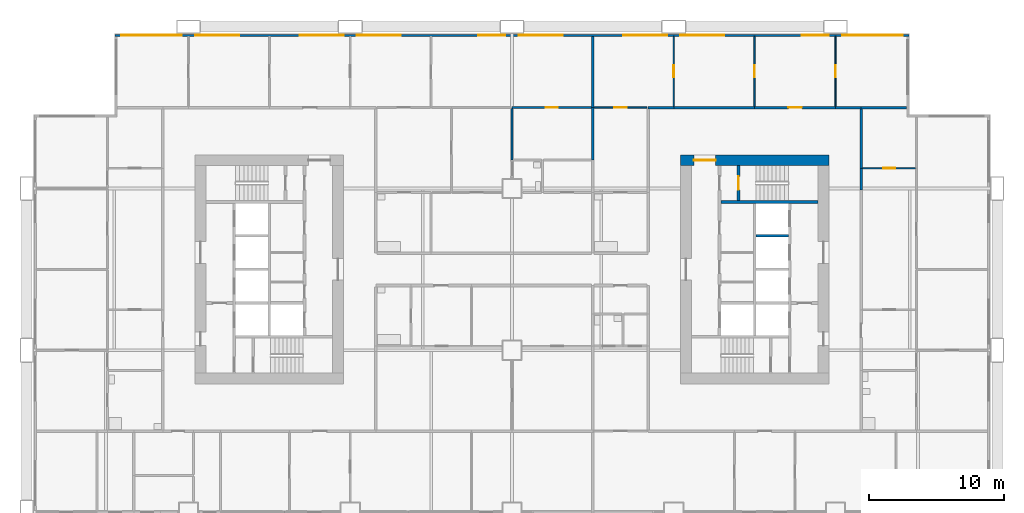
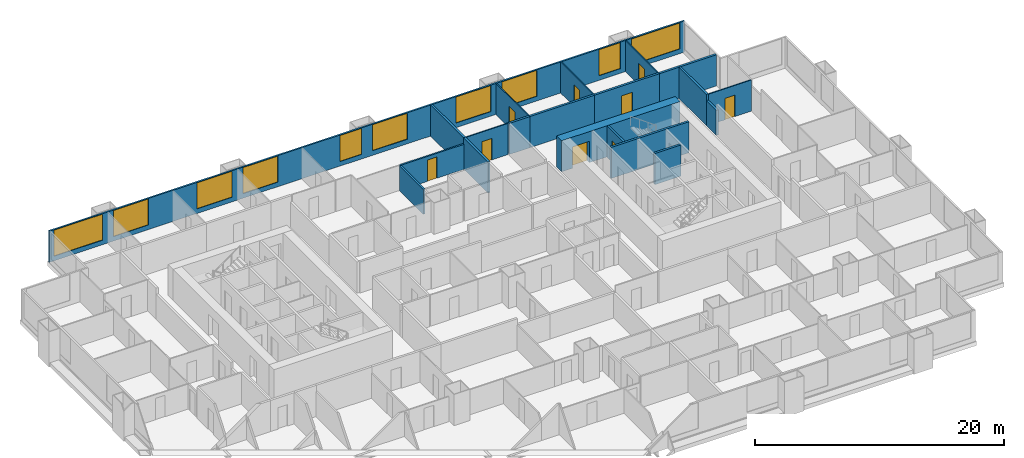
# One storey, part 9 of 13: 21 walls, 10 windows, 9 doors, 19 openings.
"""IFC4 building model written with IfcOpenShell, lengths in metres."""

from ifc_helpers import new_model, si_unit, direction, frame, frame_2d, origin, place, context, subcontext, project, spatial, rectangle, extrude, material, layer, layer_set, type_object, element, fill, save


model = new_model("IFC4")

# Units and contexts
model_context = context("Model", 3, precision=1e-05, world=origin(), true_north=direction((0.0, 1.0)))
body_context = subcontext(model_context, "Body", "Model", "MODEL_VIEW")
ifc_project = project(units=[si_unit("LENGTHUNIT", "METRE"), si_unit("AREAUNIT", "SQUARE_METRE"), si_unit("VOLUMEUNIT", "CUBIC_METRE"), si_unit("PLANEANGLEUNIT", "RADIAN"), si_unit("MASSUNIT", "GRAM", prefix="KILO")], contexts=[model_context])

# Site, building, storey
site_placement = place(None, origin())
site = spatial("IfcSite", under=ifc_project, at=site_placement, CompositionType="ELEMENT")
building_placement = place(site_placement, origin())
building = spatial("IfcBuilding", under=site, at=building_placement, Name="Kitamizu Gate Tower and Museum", CompositionType="ELEMENT")
storey_placement = place(building_placement, frame((0.0, 0.0, 57.60009765625)))
storey = spatial("IfcBuildingStorey", under=building, at=storey_placement, Name="L13", CompositionType="ELEMENT", Elevation=57.60009765625)

# Wall, opening, door
ifc_material_1 = material(Name="Concrete Fc60", Category="concrete")
ifc_layer_1 = layer(ifc_material_1, 0.800048828125)
ifc_layer_set_1 = layer_set([ifc_layer_1], Name="Concrete Fc60")
wall_type_1 = type_object("IfcWallType", Name="Core wall 800", PredefinedType="SHEAR", material=ifc_layer_set_1)
wall_1_placement = place(storey_placement, frame((59.5, 38.10009765625, 0.0), z_axis=(0.0, 0.0, 1.0), x_axis=(-1.0, 0.0, 0.0)))
wall_1 = element("IfcWall", 1, at=wall_1_placement, inside=storey, type_object=wall_type_1, Name="Core wall EN", PredefinedType="SHEAR", context=body_context, shape_type="SweptSolid", body=[
    extrude(rectangle(XDim=11.0, YDim=0.800048828125, at=frame_2d((5.5, 0.0))), origin(), (0.0, 0.0, 1.0), 3.0498046875),
])
opening_1_placement = place(wall_1_placement, frame((8.39990234375, 0.0, 0.0)))
opening_1 = element("IfcOpeningElement", 2, at=opening_1_placement, cuts=wall_1, Name="Opening L13-095", PredefinedType="OPENING", context=body_context, shape_type="SweptSolid", body=[
    extrude(rectangle(XDim=1.60009765625, YDim=2.10009765625, at=frame_2d((0.800048828125, 1.050048828125))), frame((0.0, 0.41015625, 0.0), z_axis=(0.0, -1.0, 0.0), x_axis=(1.0, 0.0, 0.0)), (0.0, 0.0, 1.0), 0.820068359375),
])
ifc_material_2 = material(Name="Timber door set", Category="wood")
door_type_1 = type_object("IfcDoorType", Name="Entrance door 1600", OperationType="DOUBLE_DOOR_SINGLE_SWING", PredefinedType="DOOR", material=ifc_material_2)
door_1_placement = place(opening_1_placement, origin())
door_1 = element("IfcDoor", 3, at=door_1_placement, inside=storey, type_object=door_type_1, Name="Lobby door L13-095", OperationType="DOUBLE_DOOR_SINGLE_SWING", OverallHeight=2.10009765625, OverallWidth=1.60009765625, PredefinedType="DOOR", context=body_context, shape_type="SweptSolid", body=[
    extrude(rectangle(XDim=1.60009765625, YDim=2.10009765625, at=frame_2d((0.800048828125, 1.050048828125))), frame((0.0, 0.02490234375, 0.0), z_axis=(0.0, -1.0, 0.0), x_axis=(1.0, 0.0, 0.0)), (0.0, 0.0, 1.0), 0.050048828125),
])
fill(opening_1, door_1)

ifc_material_3 = material(Name="Gypsum board on galvanised stud")
ifc_layer_2 = layer(ifc_material_3, 0.10009765625)
ifc_layer_set_2 = layer_set([ifc_layer_2], Name="Gypsum board on galvanised stud")
wall_type_2 = type_object("IfcWallType", Name="Partition 100 NOT RATED", PredefinedType="PARTITIONING", material=ifc_layer_set_2)
wall_2_placement = place(storey_placement, frame((48.0, 42.10009765625, 0.0), z_axis=(0.0, 0.0, 1.0), x_axis=(0.0, 1.0, 0.0)))
wall_2 = element("IfcWall", 4, at=wall_2_placement, inside=storey, type_object=wall_type_2, Name="Partition L13-175", PredefinedType="PARTITIONING", context=body_context, shape_type="SweptSolid", body=[
    extrude(rectangle(XDim=5.179931640625, YDim=0.10009765625, at=frame_2d((2.58984375, 0.0))), origin(), (0.0, 0.0, 1.0), 3.0498046875),
])
opening_2_placement = place(wall_2_placement, frame((2.139892578125, 0.0, 0.0)))
opening_2 = element("IfcOpeningElement", 5, at=opening_2_placement, cuts=wall_2, Name="Opening L13-066", PredefinedType="OPENING", context=body_context, shape_type="SweptSolid", body=[
    extrude(rectangle(XDim=0.89990234375, YDim=2.10009765625, at=frame_2d((0.449951171875, 1.050048828125))), frame((0.0, 0.06005859375, 0.0), z_axis=(0.0, -1.0, 0.0), x_axis=(1.0, 0.0, 0.0)), (0.0, 0.0, 1.0), 0.1201171875),
])
ifc_material_4 = material(Name="Timber door set", Category="wood")
door_type_2 = type_object("IfcDoorType", Name="Room door 900", OperationType="NOTDEFINED", PredefinedType="DOOR", material=ifc_material_4)
door_2_placement = place(opening_2_placement, origin())
door_2 = element("IfcDoor", 6, at=door_2_placement, inside=storey, type_object=door_type_2, Name="Door L13-066", OperationType="SINGLE_SWING_RIGHT", OverallHeight=2.10009765625, OverallWidth=0.89990234375, PredefinedType="DOOR", context=body_context, shape_type="SweptSolid", body=[
    extrude(rectangle(XDim=0.89990234375, YDim=2.10009765625, at=frame_2d((0.449951171875, 1.050048828125))), frame((0.0, 0.02490234375, 0.0), z_axis=(0.0, -1.0, 0.0), x_axis=(1.0, 0.0, 0.0)), (0.0, 0.0, 1.0), 0.050048828125),
])
fill(opening_2, door_2)

wall_3_placement = place(storey_placement, frame((42.10009765625, 42.0, 0.0), z_axis=(0.0, 0.0, 1.0), x_axis=(1.0, 0.0, 0.0)))
wall_3 = element("IfcWall", 7, at=wall_3_placement, inside=storey, type_object=wall_type_2, Name="Partition L13-176", PredefinedType="PARTITIONING", context=body_context, shape_type="SweptSolid", body=[
    extrude(rectangle(XDim=3.89990234375, YDim=0.10009765625, at=frame_2d((1.949951171875, 0.0))), origin(), (0.0, 0.0, 1.0), 3.0498046875),
])
opening_3_placement = place(wall_3_placement, frame((1.5, 0.0, 0.0)))
opening_3 = element("IfcOpeningElement", 8, at=opening_3_placement, cuts=wall_3, Name="Opening L13-067", PredefinedType="OPENING", context=body_context, shape_type="SweptSolid", body=[
    extrude(rectangle(XDim=0.89990234375, YDim=2.10009765625, at=frame_2d((0.449951171875, 1.050048828125))), frame((0.0, 0.06005859375, 0.0), z_axis=(0.0, -1.0, 0.0), x_axis=(1.0, 0.0, 0.0)), (0.0, 0.0, 1.0), 0.1201171875),
])
door_3_placement = place(opening_3_placement, frame((0.89990234375, 0.0, 0.0), x_axis=(-1.0, 0.0, 0.0)))
door_3 = element("IfcDoor", 9, at=door_3_placement, inside=storey, type_object=door_type_2, Name="Door L13-067", OperationType="SINGLE_SWING_RIGHT", OverallHeight=2.10009765625, OverallWidth=0.89990234375, PredefinedType="DOOR", context=body_context, shape_type="SweptSolid", body=[
    extrude(rectangle(XDim=0.89990234375, YDim=2.10009765625, at=frame_2d((0.449951171875, 1.050048828125))), frame((0.0, 0.02490234375, 0.0), z_axis=(0.0, -1.0, 0.0), x_axis=(1.0, 0.0, 0.0)), (0.0, 0.0, 1.0), 0.050048828125),
])
fill(opening_3, door_3)

wall_4_placement = place(storey_placement, frame((54.0, 42.10009765625, 0.0), z_axis=(0.0, 0.0, 1.0), x_axis=(0.0, 1.0, 0.0)))
wall_4 = element("IfcWall", 10, at=wall_4_placement, inside=storey, type_object=wall_type_2, Name="Partition L13-178", PredefinedType="PARTITIONING", context=body_context, shape_type="SweptSolid", body=[
    extrude(rectangle(XDim=5.179931640625, YDim=0.10009765625, at=frame_2d((2.58984375, 0.0))), origin(), (0.0, 0.0, 1.0), 3.0498046875),
])
opening_4_placement = place(wall_4_placement, frame((2.139892578125, 0.0, 0.0)))
opening_4 = element("IfcOpeningElement", 11, at=opening_4_placement, cuts=wall_4, Name="Opening L13-065", PredefinedType="OPENING", context=body_context, shape_type="SweptSolid", body=[
    extrude(rectangle(XDim=0.89990234375, YDim=2.10009765625, at=frame_2d((0.449951171875, 1.050048828125))), frame((0.0, 0.06005859375, 0.0), z_axis=(0.0, -1.0, 0.0), x_axis=(1.0, 0.0, 0.0)), (0.0, 0.0, 1.0), 0.1201171875),
])
door_4_placement = place(opening_4_placement, origin())
door_4 = element("IfcDoor", 12, at=door_4_placement, inside=storey, type_object=door_type_2, Name="Door L13-065", OperationType="SINGLE_SWING_LEFT", OverallHeight=2.10009765625, OverallWidth=0.89990234375, PredefinedType="DOOR", context=body_context, shape_type="SweptSolid", body=[
    extrude(rectangle(XDim=0.89990234375, YDim=2.10009765625, at=frame_2d((0.449951171875, 1.050048828125))), frame((0.0, 0.02490234375, 0.0), z_axis=(0.0, -1.0, 0.0), x_axis=(1.0, 0.0, 0.0)), (0.0, 0.0, 1.0), 0.050048828125),
])
fill(opening_4, door_4)

wall_5_placement = place(storey_placement, frame((60.0, 42.10009765625, 0.0), z_axis=(0.0, 0.0, 1.0), x_axis=(0.0, 1.0, 0.0)))
wall_5 = element("IfcWall", 13, at=wall_5_placement, inside=storey, type_object=wall_type_2, Name="Partition L13-180", PredefinedType="PARTITIONING", context=body_context, shape_type="SweptSolid", body=[
    extrude(rectangle(XDim=5.179931640625, YDim=0.10009765625, at=frame_2d((2.58984375, 0.0))), origin(), (0.0, 0.0, 1.0), 3.0498046875),
])
opening_5_placement = place(wall_5_placement, frame((2.139892578125, 0.0, 0.0)))
opening_5 = element("IfcOpeningElement", 14, at=opening_5_placement, cuts=wall_5, Name="Opening L13-064", PredefinedType="OPENING", context=body_context, shape_type="SweptSolid", body=[
    extrude(rectangle(XDim=0.89990234375, YDim=2.10009765625, at=frame_2d((0.449951171875, 1.050048828125))), frame((0.0, 0.06005859375, 0.0), z_axis=(0.0, -1.0, 0.0), x_axis=(1.0, 0.0, 0.0)), (0.0, 0.0, 1.0), 0.1201171875),
])
door_5_placement = place(opening_5_placement, frame((0.89990234375, 0.0, 0.0), x_axis=(-1.0, 0.0, 0.0)))
door_5 = element("IfcDoor", 15, at=door_5_placement, inside=storey, type_object=door_type_2, Name="Door L13-064", OperationType="SINGLE_SWING_LEFT", OverallHeight=2.10009765625, OverallWidth=0.89990234375, PredefinedType="DOOR", context=body_context, shape_type="SweptSolid", body=[
    extrude(rectangle(XDim=0.89990234375, YDim=2.10009765625, at=frame_2d((0.449951171875, 1.050048828125))), frame((0.0, 0.02490234375, 0.0), z_axis=(0.0, -1.0, 0.0), x_axis=(1.0, 0.0, 0.0)), (0.0, 0.0, 1.0), 0.050048828125),
])
fill(opening_5, door_5)

wall_6_placement = place(storey_placement, frame((65.949951171875, 37.5, 0.0), z_axis=(0.0, 0.0, 1.0), x_axis=(-1.0, 0.0, 0.0)))
wall_6 = element("IfcWall", 16, at=wall_6_placement, inside=storey, type_object=wall_type_2, Name="Partition L13-203", PredefinedType="PARTITIONING", context=body_context, shape_type="SweptSolid", body=[
    extrude(rectangle(XDim=3.949951171875, YDim=0.10009765625, at=frame_2d((1.97509765625, 0.0))), origin(), (0.0, 0.0, 1.0), 3.0498046875),
])
opening_6_placement = place(wall_6_placement, frame((1.52490234375, 0.0, 0.0)))
opening_6 = element("IfcOpeningElement", 17, at=opening_6_placement, cuts=wall_6, Name="Opening L13-075", PredefinedType="OPENING", context=body_context, shape_type="SweptSolid", body=[
    extrude(rectangle(XDim=0.89990234375, YDim=2.10009765625, at=frame_2d((0.449951171875, 1.050048828125))), frame((0.0, 0.06005859375, 0.0), z_axis=(0.0, -1.0, 0.0), x_axis=(1.0, 0.0, 0.0)), (0.0, 0.0, 1.0), 0.1201171875),
])
door_6_placement = place(opening_6_placement, frame((0.89990234375, 0.0, 0.0), x_axis=(-1.0, 0.0, 0.0)))
door_6 = element("IfcDoor", 18, at=door_6_placement, inside=storey, type_object=door_type_2, Name="Door L13-075", OperationType="SINGLE_SWING_RIGHT", OverallHeight=2.10009765625, OverallWidth=0.89990234375, PredefinedType="DOOR", context=body_context, shape_type="SweptSolid", body=[
    extrude(rectangle(XDim=0.89990234375, YDim=2.10009765625, at=frame_2d((0.449951171875, 1.050048828125))), frame((0.0, 0.02490234375, 0.0), z_axis=(0.0, -1.0, 0.0), x_axis=(1.0, 0.0, 0.0)), (0.0, 0.0, 1.0), 0.050048828125),
])
fill(opening_6, door_6)

ifc_material_5 = material(Name="Gypsum board on galvanised stud")
ifc_layer_3 = layer(ifc_material_5, 0.14990234375)
ifc_layer_set_3 = layer_set([ifc_layer_3], Name="Gypsum board on galvanised stud")
wall_type_3 = type_object("IfcWallType", Name="Partition 150", PredefinedType="PARTITIONING", material=ifc_layer_set_3)
wall_7_placement = place(storey_placement, frame((36.0, 42.0, 0.0), z_axis=(0.0, 0.0, 1.0), x_axis=(1.0, 0.0, 0.0)))
wall_7 = element("IfcWall", 19, at=wall_7_placement, inside=storey, type_object=wall_type_3, Name="Partition L13-131", PredefinedType="PARTITIONING", context=body_context, shape_type="SweptSolid", body=[
    extrude(rectangle(XDim=5.89990234375, YDim=0.14990234375, at=frame_2d((2.949951171875, 0.0))), origin(), (0.0, 0.0, 1.0), 2.449951171875),
])
opening_7_placement = place(wall_7_placement, frame((2.5, 0.0, 0.0)))
opening_7 = element("IfcOpeningElement", 20, at=opening_7_placement, cuts=wall_7, Name="Opening L13-051", PredefinedType="OPENING", context=body_context, shape_type="SweptSolid", body=[
    extrude(rectangle(XDim=0.89990234375, YDim=2.10009765625, at=frame_2d((0.449951171875, 1.050048828125))), frame((0.0, 0.0849609375, 0.0), z_axis=(0.0, -1.0, 0.0), x_axis=(1.0, 0.0, 0.0)), (0.0, 0.0, 1.0), 0.169921875),
])
ifc_material_6 = material(Name="Timber door set", Category="wood")
door_type_3 = type_object("IfcDoorType", Name="Bathroom door 900", OperationType="NOTDEFINED", PredefinedType="DOOR", material=ifc_material_6)
door_7_placement = place(opening_7_placement, frame((0.89990234375, 0.0, 0.0), x_axis=(-1.0, 0.0, 0.0)))
door_7 = element("IfcDoor", 21, at=door_7_placement, inside=storey, type_object=door_type_3, Name="Bathroom door L13-051", OperationType="SINGLE_SWING_LEFT", OverallHeight=2.10009765625, OverallWidth=0.89990234375, PredefinedType="DOOR", context=body_context, shape_type="SweptSolid", body=[
    extrude(rectangle(XDim=0.89990234375, YDim=2.10009765625, at=frame_2d((0.449951171875, 1.050048828125))), frame((0.0, 0.02490234375, 0.0), z_axis=(0.0, -1.0, 0.0), x_axis=(1.0, 0.0, 0.0)), (0.0, 0.0, 1.0), 0.050048828125),
])
fill(opening_7, door_7)

# Walls
wall_8_placement = place(storey_placement, frame((36.0, 38.10009765625, 0.0), z_axis=(0.0, 0.0, 1.0), x_axis=(0.0, 1.0, 0.0)))
element("IfcWall", 22, at=wall_8_placement, inside=storey, type_object=wall_type_3, Name="Partition L13-139", PredefinedType="PARTITIONING", context=body_context, shape_type="SweptSolid", body=[
    extrude(rectangle(XDim=3.824951171875, YDim=0.14990234375, at=frame_2d((1.91259765625, 0.0))), origin(), (0.0, 0.0, 1.0), 2.449951171875),
])
ifc_material_7 = material(Name="Gypsum board on galvanised stud")
ifc_layer_4 = layer(ifc_material_7, 0.199951171875)
ifc_layer_set_4 = layer_set([ifc_layer_4], Name="Gypsum board on galvanised stud")
wall_type_4 = type_object("IfcWallType", Name="Partition 200", PredefinedType="PARTITIONING", material=ifc_layer_set_4)
wall_9_placement = place(storey_placement, frame((42.0, 42.0, 0.0), z_axis=(0.0, 0.0, 1.0), x_axis=(0.0, 1.0, 0.0)))
element("IfcWall", 23, at=wall_9_placement, inside=storey, type_object=wall_type_4, Name="Partition L13-132", PredefinedType="PARTITIONING", context=body_context, shape_type="SweptSolid", body=[
    extrude(rectangle(XDim=5.280029296875, YDim=0.199951171875, at=frame_2d((2.64013671875, 0.0))), origin(), (0.0, 0.0, 1.0), 3.0498046875),
])
wall_10_placement = place(storey_placement, frame((42.0, 38.10009765625, 0.0), z_axis=(0.0, 0.0, 1.0), x_axis=(0.0, 1.0, 0.0)))
element("IfcWall", 24, at=wall_10_placement, inside=storey, type_object=wall_type_4, Name="Partition L13-149", PredefinedType="PARTITIONING", context=body_context, shape_type="SweptSolid", body=[
    extrude(rectangle(XDim=3.89990234375, YDim=0.199951171875, at=frame_2d((1.949951171875, 0.0))), origin(), (0.0, 0.0, 1.0), 3.0498046875),
])
wall_11_placement = place(storey_placement, frame((46.10009765625, 42.0, 0.0), z_axis=(0.0, 0.0, 1.0), x_axis=(1.0, 0.0, 0.0)))
element("IfcWall", 25, at=wall_11_placement, inside=storey, type_object=wall_type_4, Name="Partition L13-177", PredefinedType="PARTITIONING", context=body_context, shape_type="SweptSolid", body=[
    extrude(rectangle(XDim=1.89990234375, YDim=0.199951171875, at=frame_2d((0.949951171875, 0.0))), origin(), (0.0, 0.0, 1.0), 3.0498046875),
])
wall_12_placement = place(storey_placement, frame((48.0, 42.0, 0.0), z_axis=(0.0, 0.0, 1.0), x_axis=(1.0, 0.0, 0.0)))
element("IfcWall", 26, at=wall_12_placement, inside=storey, type_object=wall_type_4, Name="Partition L13-179", PredefinedType="PARTITIONING", context=body_context, shape_type="SweptSolid", body=[
    extrude(rectangle(XDim=6.0, YDim=0.199951171875, at=frame_2d((3.0, 0.0))), origin(), (0.0, 0.0, 1.0), 3.0498046875),
])

# Wall, opening, door
wall_13_placement = place(storey_placement, frame((54.0, 42.0, 0.0), z_axis=(0.0, 0.0, 1.0), x_axis=(1.0, 0.0, 0.0)))
wall_13 = element("IfcWall", 27, at=wall_13_placement, inside=storey, type_object=wall_type_4, Name="Partition L13-181", PredefinedType="PARTITIONING", context=body_context, shape_type="SweptSolid", body=[
    extrude(rectangle(XDim=6.0, YDim=0.199951171875, at=frame_2d((3.0, 0.0))), origin(), (0.0, 0.0, 1.0), 3.0498046875),
])
opening_8_placement = place(wall_13_placement, frame((2.5, 0.0, 0.0)))
opening_8 = element("IfcOpeningElement", 28, at=opening_8_placement, cuts=wall_13, Name="Opening L13-063", PredefinedType="OPENING", context=body_context, shape_type="SweptSolid", body=[
    extrude(rectangle(XDim=1.0, YDim=2.10009765625, at=frame_2d((0.5, 1.050048828125))), frame((0.0, 0.10986328125, 0.0), z_axis=(0.0, -1.0, 0.0), x_axis=(1.0, 0.0, 0.0)), (0.0, 0.0, 1.0), 0.219970703125),
])
ifc_material_8 = material(Name="Timber door set", Category="wood")
door_type_4 = type_object("IfcDoorType", Name="Flat entrance door 1000", OperationType="NOTDEFINED", PredefinedType="DOOR", material=ifc_material_8)
door_8_placement = place(opening_8_placement, origin())
door_8 = element("IfcDoor", 29, at=door_8_placement, inside=storey, type_object=door_type_4, Name="Flat entrance door L13-063", OperationType="SINGLE_SWING_LEFT", OverallHeight=2.10009765625, OverallWidth=1.0, PredefinedType="DOOR", context=body_context, shape_type="SweptSolid", body=[
    extrude(rectangle(XDim=1.0, YDim=2.10009765625, at=frame_2d((0.5, 1.050048828125))), frame((0.0, 0.02490234375, 0.0), z_axis=(0.0, -1.0, 0.0), x_axis=(1.0, 0.0, 0.0)), (0.0, 0.0, 1.0), 0.050048828125),
])
fill(opening_8, door_8)

# Walls
wall_14_placement = place(storey_placement, frame((61.89990234375, 42.0, 0.0), z_axis=(0.0, 0.0, 1.0), x_axis=(1.0, 0.0, 0.0)))
element("IfcWall", 30, at=wall_14_placement, inside=storey, type_object=wall_type_4, Name="Partition L13-182", PredefinedType="PARTITIONING", context=body_context, shape_type="SweptSolid", body=[
    extrude(rectangle(XDim=3.380126953125, YDim=0.199951171875, at=frame_2d((1.68994140625, 0.0))), origin(), (0.0, 0.0, 1.0), 3.0498046875),
])
wall_15_placement = place(storey_placement, frame((60.0, 42.0, 0.0), z_axis=(0.0, 0.0, 1.0), x_axis=(1.0, 0.0, 0.0)))
element("IfcWall", 31, at=wall_15_placement, inside=storey, type_object=wall_type_4, Name="Partition L13-183", PredefinedType="PARTITIONING", context=body_context, shape_type="SweptSolid", body=[
    extrude(rectangle(XDim=1.89990234375, YDim=0.199951171875, at=frame_2d((0.949951171875, 0.0))), origin(), (0.0, 0.0, 1.0), 3.0498046875),
])
wall_16_placement = place(storey_placement, frame((61.89990234375, 37.5, 0.0), z_axis=(0.0, 0.0, 1.0), x_axis=(0.0, -1.0, 0.0)))
element("IfcWall", 32, at=wall_16_placement, inside=storey, type_object=wall_type_4, Name="Partition L13-204", PredefinedType="PARTITIONING", context=body_context, shape_type="SweptSolid", body=[
    extrude(rectangle(XDim=1.60009765625, YDim=0.199951171875, at=frame_2d((0.800048828125, 0.0))), origin(), (0.0, 0.0, 1.0), 2.449951171875),
])
wall_17_placement = place(storey_placement, frame((61.89990234375, 41.89990234375, 0.0), z_axis=(0.0, 0.0, 1.0), x_axis=(0.0, -1.0, 0.0)))
element("IfcWall", 33, at=wall_17_placement, inside=storey, type_object=wall_type_4, Name="Partition L13-206", PredefinedType="PARTITIONING", context=body_context, shape_type="SweptSolid", body=[
    extrude(rectangle(XDim=4.39990234375, YDim=0.199951171875, at=frame_2d((2.199951171875, 0.0))), origin(), (0.0, 0.0, 1.0), 3.0498046875),
])
ifc_material_9 = material(Name="Concrete Fc42", Category="concrete")
ifc_layer_5 = layer(ifc_material_9, 0.199951171875)
ifc_layer_set_5 = layer_set([ifc_layer_5], Name="Concrete Fc42")
wall_type_5 = type_object("IfcWallType", Name="Shaft wall 200", PredefinedType="SOLIDWALL", material=ifc_layer_set_5)
wall_18_placement = place(storey_placement, frame((58.699951171875, 35.0, 0.0), z_axis=(0.0, 0.0, 1.0), x_axis=(-1.0, 0.0, 0.0)))
element("IfcWall", 34, at=wall_18_placement, inside=storey, type_object=wall_type_5, Name="Shaft wall ENB", PredefinedType="SOLIDWALL", context=body_context, shape_type="SweptSolid", body=[
    extrude(rectangle(XDim=7.199951171875, YDim=0.199951171875, at=frame_2d((3.60009765625, 0.0))), origin(), (0.0, 0.0, 1.0), 3.0498046875),
])

# Wall, opening, door
wall_19_placement = place(storey_placement, frame((52.800048828125, 35.10009765625, 0.0), z_axis=(0.0, 0.0, 1.0), x_axis=(0.0, 1.0, 0.0)))
wall_19 = element("IfcWall", 35, at=wall_19_placement, inside=storey, type_object=wall_type_5, Name="Shaft wall ENZ", PredefinedType="SOLIDWALL", context=body_context, shape_type="SweptSolid", body=[
    extrude(rectangle(XDim=2.599853515625, YDim=0.199951171875, at=frame_2d((1.2998046875, 0.0))), origin(), (0.0, 0.0, 1.0), 3.0498046875),
])
opening_9_placement = place(wall_19_placement, frame((0.800048828125, 0.0, 0.0)))
opening_9 = element("IfcOpeningElement", 36, at=opening_9_placement, cuts=wall_19, Name="Opening L13-091", PredefinedType="OPENING", context=body_context, shape_type="SweptSolid", body=[
    extrude(rectangle(XDim=1.0, YDim=2.10009765625, at=frame_2d((0.5, 1.050048828125))), frame((0.0, 0.10986328125, 0.0), z_axis=(0.0, -1.0, 0.0), x_axis=(1.0, 0.0, 0.0)), (0.0, 0.0, 1.0), 0.219970703125),
])
ifc_material_10 = material(Name="Hollow metal door set")
door_type_5 = type_object("IfcDoorType", Name="Fire door 1000", OperationType="NOTDEFINED", PredefinedType="DOOR", material=ifc_material_10)
door_9_placement = place(opening_9_placement, frame((1.0, 0.0, 0.0), x_axis=(-1.0, 0.0, 0.0)))
door_9 = element("IfcDoor", 37, at=door_9_placement, inside=storey, type_object=door_type_5, Name="Stair door L13-091", OperationType="SINGLE_SWING_LEFT", OverallHeight=2.10009765625, OverallWidth=1.0, PredefinedType="DOOR", context=body_context, shape_type="SweptSolid", body=[
    extrude(rectangle(XDim=1.0, YDim=2.10009765625, at=frame_2d((0.5, 1.050048828125))), frame((0.0, 0.02490234375, 0.0), z_axis=(0.0, -1.0, 0.0), x_axis=(1.0, 0.0, 0.0)), (0.0, 0.0, 1.0), 0.050048828125),
])
fill(opening_9, door_9)

# Wall
wall_20_placement = place(storey_placement, frame((56.5, 32.5, 0.0), z_axis=(0.0, 0.0, 1.0), x_axis=(-1.0, 0.0, 0.0)))
element("IfcWall", 38, at=wall_20_placement, inside=storey, type_object=wall_type_5, Name="Shaft wall EDVW2", PredefinedType="SOLIDWALL", context=body_context, shape_type="SweptSolid", body=[
    extrude(rectangle(XDim=2.39990234375, YDim=0.199951171875, at=frame_2d((1.199951171875, 0.0))), origin(), (0.0, 0.0, 1.0), 3.0498046875),
])

# Wall, openings, windows
ifc_material_11 = material(Name="Bronze anodised aluminium frame with insulated spandrel and tinted glass", Category="aluminium")
ifc_layer_6 = layer(ifc_material_11, 0.14990234375)
ifc_layer_set_6 = layer_set([ifc_layer_6], Name="Bronze anodised aluminium frame with insulated spandrel and tinted glass")
wall_type_6 = type_object("IfcWallType", Name="WINDOW WALL 150 BRONZE FRAME EI 30", PredefinedType="ELEMENTEDWALL", material=ifc_layer_set_6)
wall_21_placement = place(storey_placement, frame((6.56005859375, 47.364990234375, 0.0), z_axis=(0.0, 0.0, 1.0), x_axis=(1.0, 0.0, 0.0)))
wall_21 = element("IfcWall", 39, at=wall_21_placement, inside=storey, type_object=wall_type_6, Name="Window wall north L13", PredefinedType="ELEMENTEDWALL", context=body_context, shape_type="SweptSolid", body=[
    extrude(rectangle(XDim=58.8798828125, YDim=0.14990234375, at=frame_2d((29.43994140625, 0.0))), origin(), (0.0, 0.0, 1.0), 3.0498046875),
])
opening_10_placement = place(wall_21_placement, frame((0.43994140625, 0.0, 0.449951171875)))
opening_10 = element("IfcOpeningElement", 40, at=opening_10_placement, cuts=wall_21, Name="Opening W15", PredefinedType="OPENING", context=body_context, shape_type="SweptSolid", body=[
    extrude(rectangle(XDim=4.5, YDim=2.550048828125, at=frame_2d((2.25, 1.27490234375))), frame((0.0, 0.0849609375, 0.0), z_axis=(0.0, -1.0, 0.0), x_axis=(1.0, 0.0, 0.0)), (0.0, 0.0, 1.0), 0.169921875),
])
opening_11_placement = place(wall_21_placement, frame((5.93994140625, 0.0, 0.449951171875)))
opening_11 = element("IfcOpeningElement", 41, at=opening_11_placement, cuts=wall_21, Name="Opening W34", PredefinedType="OPENING", context=body_context, shape_type="SweptSolid", body=[
    extrude(rectangle(XDim=3.25, YDim=2.550048828125, at=frame_2d((1.625, 1.27490234375))), frame((0.0, 0.0849609375, 0.0), z_axis=(0.0, -1.0, 0.0), x_axis=(1.0, 0.0, 0.0)), (0.0, 0.0, 1.0), 0.169921875),
])
opening_12_placement = place(wall_21_placement, frame((13.68994140625, 0.0, 0.449951171875)))
opening_12 = element("IfcOpeningElement", 42, at=opening_12_placement, cuts=wall_21, Name="Opening W34", PredefinedType="OPENING", context=body_context, shape_type="SweptSolid", body=[
    extrude(rectangle(XDim=3.25, YDim=2.550048828125, at=frame_2d((1.625, 1.27490234375))), frame((0.0, 0.0849609375, 0.0), z_axis=(0.0, -1.0, 0.0), x_axis=(1.0, 0.0, 0.0)), (0.0, 0.0, 1.0), 0.169921875),
])
opening_13_placement = place(wall_21_placement, frame((17.93994140625, 0.0, 0.449951171875)))
opening_13 = element("IfcOpeningElement", 43, at=opening_13_placement, cuts=wall_21, Name="Opening W34", PredefinedType="OPENING", context=body_context, shape_type="SweptSolid", body=[
    extrude(rectangle(XDim=3.25, YDim=2.550048828125, at=frame_2d((1.625, 1.27490234375))), frame((0.0, 0.0849609375, 0.0), z_axis=(0.0, -1.0, 0.0), x_axis=(1.0, 0.0, 0.0)), (0.0, 0.0, 1.0), 0.169921875),
])
opening_14_placement = place(wall_21_placement, frame((26.93994140625, 0.0, 0.449951171875)))
opening_14 = element("IfcOpeningElement", 44, at=opening_14_placement, cuts=wall_21, Name="Opening W2", PredefinedType="OPENING", context=body_context, shape_type="SweptSolid", body=[
    extrude(rectangle(XDim=2.0, YDim=2.550048828125, at=frame_2d((1.0, 1.27490234375))), frame((0.0, 0.0849609375, 0.0), z_axis=(0.0, -1.0, 0.0), x_axis=(1.0, 0.0, 0.0)), (0.0, 0.0, 1.0), 0.169921875),
])
opening_15_placement = place(wall_21_placement, frame((29.93994140625, 0.0, 0.449951171875)))
opening_15 = element("IfcOpeningElement", 45, at=opening_15_placement, cuts=wall_21, Name="Opening W34", PredefinedType="OPENING", context=body_context, shape_type="SweptSolid", body=[
    extrude(rectangle(XDim=3.25, YDim=2.550048828125, at=frame_2d((1.625, 1.27490234375))), frame((0.0, 0.0849609375, 0.0), z_axis=(0.0, -1.0, 0.0), x_axis=(1.0, 0.0, 0.0)), (0.0, 0.0, 1.0), 0.169921875),
])
opening_16_placement = place(wall_21_placement, frame((37.68994140625, 0.0, 0.449951171875)))
opening_16 = element("IfcOpeningElement", 46, at=opening_16_placement, cuts=wall_21, Name="Opening W34", PredefinedType="OPENING", context=body_context, shape_type="SweptSolid", body=[
    extrude(rectangle(XDim=3.25, YDim=2.550048828125, at=frame_2d((1.625, 1.27490234375))), frame((0.0, 0.0849609375, 0.0), z_axis=(0.0, -1.0, 0.0), x_axis=(1.0, 0.0, 0.0)), (0.0, 0.0, 1.0), 0.169921875),
])
opening_17_placement = place(wall_21_placement, frame((41.93994140625, 0.0, 0.449951171875)))
opening_17 = element("IfcOpeningElement", 47, at=opening_17_placement, cuts=wall_21, Name="Opening W34", PredefinedType="OPENING", context=body_context, shape_type="SweptSolid", body=[
    extrude(rectangle(XDim=3.25, YDim=2.550048828125, at=frame_2d((1.625, 1.27490234375))), frame((0.0, 0.0849609375, 0.0), z_axis=(0.0, -1.0, 0.0), x_axis=(1.0, 0.0, 0.0)), (0.0, 0.0, 1.0), 0.169921875),
])
opening_18_placement = place(wall_21_placement, frame((50.93994140625, 0.0, 0.449951171875)))
opening_18 = element("IfcOpeningElement", 48, at=opening_18_placement, cuts=wall_21, Name="Opening W2", PredefinedType="OPENING", context=body_context, shape_type="SweptSolid", body=[
    extrude(rectangle(XDim=2.0, YDim=2.550048828125, at=frame_2d((1.0, 1.27490234375))), frame((0.0, 0.0849609375, 0.0), z_axis=(0.0, -1.0, 0.0), x_axis=(1.0, 0.0, 0.0)), (0.0, 0.0, 1.0), 0.169921875),
])
opening_19_placement = place(wall_21_placement, frame((53.93994140625, 0.0, 0.449951171875)))
opening_19 = element("IfcOpeningElement", 49, at=opening_19_placement, cuts=wall_21, Name="Opening W15", PredefinedType="OPENING", context=body_context, shape_type="SweptSolid", body=[
    extrude(rectangle(XDim=4.5, YDim=2.550048828125, at=frame_2d((2.25, 1.27490234375))), frame((0.0, 0.0849609375, 0.0), z_axis=(0.0, -1.0, 0.0), x_axis=(1.0, 0.0, 0.0)), (0.0, 0.0, 1.0), 0.169921875),
])
ifc_material_12 = material(Name="Bronze anodised aluminium frame, tinted triple glazing", Category="aluminium")
window_type_1 = type_object("IfcWindowType", Name="WINDOW 2000 x 2550 SILL 450", PartitioningType="SINGLE_PANEL", PredefinedType="WINDOW", material=ifc_material_12)
window_1_placement = place(opening_14_placement, origin())
window_1 = element("IfcWindow", 50, at=window_1_placement, inside=storey, type_object=window_type_1, Name="Window W2 L13", OverallHeight=2.550048828125, OverallWidth=2.0, PartitioningType="SINGLE_PANEL", PredefinedType="WINDOW", context=body_context, shape_type="SweptSolid", body=[
    extrude(rectangle(XDim=2.0, YDim=2.550048828125, at=frame_2d((1.0, 1.27490234375))), frame((0.0, 0.030029296875, 0.0), z_axis=(0.0, -1.0, 0.0), x_axis=(1.0, 0.0, 0.0)), (0.0, 0.0, 1.0), 0.06005859375),
])
fill(opening_14, window_1)
window_2_placement = place(opening_18_placement, origin())
window_2 = element("IfcWindow", 51, at=window_2_placement, inside=storey, type_object=window_type_1, Name="Window W2 L13", OverallHeight=2.550048828125, OverallWidth=2.0, PartitioningType="SINGLE_PANEL", PredefinedType="WINDOW", context=body_context, shape_type="SweptSolid", body=[
    extrude(rectangle(XDim=2.0, YDim=2.550048828125, at=frame_2d((1.0, 1.27490234375))), frame((0.0, 0.030029296875, 0.0), z_axis=(0.0, -1.0, 0.0), x_axis=(1.0, 0.0, 0.0)), (0.0, 0.0, 1.0), 0.06005859375),
])
fill(opening_18, window_2)
ifc_material_13 = material(Name="Bronze anodised aluminium frame, tinted triple glazing", Category="aluminium")
window_type_2 = type_object("IfcWindowType", Name="WINDOW 3250 x 2550 SILL 450", PartitioningType="SINGLE_PANEL", PredefinedType="WINDOW", material=ifc_material_13)
window_3_placement = place(opening_11_placement, origin())
window_3 = element("IfcWindow", 52, at=window_3_placement, inside=storey, type_object=window_type_2, Name="Window W34 L13", OverallHeight=2.550048828125, OverallWidth=3.25, PartitioningType="SINGLE_PANEL", PredefinedType="WINDOW", context=body_context, shape_type="SweptSolid", body=[
    extrude(rectangle(XDim=3.25, YDim=2.550048828125, at=frame_2d((1.625, 1.27490234375))), frame((0.0, 0.030029296875, 0.0), z_axis=(0.0, -1.0, 0.0), x_axis=(1.0, 0.0, 0.0)), (0.0, 0.0, 1.0), 0.06005859375),
])
fill(opening_11, window_3)
window_4_placement = place(opening_12_placement, origin())
window_4 = element("IfcWindow", 53, at=window_4_placement, inside=storey, type_object=window_type_2, Name="Window W34 L13", OverallHeight=2.550048828125, OverallWidth=3.25, PartitioningType="SINGLE_PANEL", PredefinedType="WINDOW", context=body_context, shape_type="SweptSolid", body=[
    extrude(rectangle(XDim=3.25, YDim=2.550048828125, at=frame_2d((1.625, 1.27490234375))), frame((0.0, 0.030029296875, 0.0), z_axis=(0.0, -1.0, 0.0), x_axis=(1.0, 0.0, 0.0)), (0.0, 0.0, 1.0), 0.06005859375),
])
fill(opening_12, window_4)
window_5_placement = place(opening_13_placement, origin())
window_5 = element("IfcWindow", 54, at=window_5_placement, inside=storey, type_object=window_type_2, Name="Window W34 L13", OverallHeight=2.550048828125, OverallWidth=3.25, PartitioningType="SINGLE_PANEL", PredefinedType="WINDOW", context=body_context, shape_type="SweptSolid", body=[
    extrude(rectangle(XDim=3.25, YDim=2.550048828125, at=frame_2d((1.625, 1.27490234375))), frame((0.0, 0.030029296875, 0.0), z_axis=(0.0, -1.0, 0.0), x_axis=(1.0, 0.0, 0.0)), (0.0, 0.0, 1.0), 0.06005859375),
])
fill(opening_13, window_5)
window_6_placement = place(opening_15_placement, origin())
window_6 = element("IfcWindow", 55, at=window_6_placement, inside=storey, type_object=window_type_2, Name="Window W34 L13", OverallHeight=2.550048828125, OverallWidth=3.25, PartitioningType="SINGLE_PANEL", PredefinedType="WINDOW", context=body_context, shape_type="SweptSolid", body=[
    extrude(rectangle(XDim=3.25, YDim=2.550048828125, at=frame_2d((1.625, 1.27490234375))), frame((0.0, 0.030029296875, 0.0), z_axis=(0.0, -1.0, 0.0), x_axis=(1.0, 0.0, 0.0)), (0.0, 0.0, 1.0), 0.06005859375),
])
fill(opening_15, window_6)
window_7_placement = place(opening_16_placement, origin())
window_7 = element("IfcWindow", 56, at=window_7_placement, inside=storey, type_object=window_type_2, Name="Window W34 L13", OverallHeight=2.550048828125, OverallWidth=3.25, PartitioningType="SINGLE_PANEL", PredefinedType="WINDOW", context=body_context, shape_type="SweptSolid", body=[
    extrude(rectangle(XDim=3.25, YDim=2.550048828125, at=frame_2d((1.625, 1.27490234375))), frame((0.0, 0.030029296875, 0.0), z_axis=(0.0, -1.0, 0.0), x_axis=(1.0, 0.0, 0.0)), (0.0, 0.0, 1.0), 0.06005859375),
])
fill(opening_16, window_7)
window_8_placement = place(opening_17_placement, origin())
window_8 = element("IfcWindow", 57, at=window_8_placement, inside=storey, type_object=window_type_2, Name="Window W34 L13", OverallHeight=2.550048828125, OverallWidth=3.25, PartitioningType="SINGLE_PANEL", PredefinedType="WINDOW", context=body_context, shape_type="SweptSolid", body=[
    extrude(rectangle(XDim=3.25, YDim=2.550048828125, at=frame_2d((1.625, 1.27490234375))), frame((0.0, 0.030029296875, 0.0), z_axis=(0.0, -1.0, 0.0), x_axis=(1.0, 0.0, 0.0)), (0.0, 0.0, 1.0), 0.06005859375),
])
fill(opening_17, window_8)
ifc_material_14 = material(Name="Bronze anodised aluminium frame, tinted triple glazing", Category="aluminium")
window_type_3 = type_object("IfcWindowType", Name="WINDOW 4500 x 2550 SILL 450", PartitioningType="SINGLE_PANEL", PredefinedType="WINDOW", material=ifc_material_14)
window_9_placement = place(opening_10_placement, origin())
window_9 = element("IfcWindow", 58, at=window_9_placement, inside=storey, type_object=window_type_3, Name="Window W15 L13", OverallHeight=2.550048828125, OverallWidth=4.5, PartitioningType="SINGLE_PANEL", PredefinedType="WINDOW", context=body_context, shape_type="SweptSolid", body=[
    extrude(rectangle(XDim=4.5, YDim=2.550048828125, at=frame_2d((2.25, 1.27490234375))), frame((0.0, 0.030029296875, 0.0), z_axis=(0.0, -1.0, 0.0), x_axis=(1.0, 0.0, 0.0)), (0.0, 0.0, 1.0), 0.06005859375),
])
fill(opening_10, window_9)
window_10_placement = place(opening_19_placement, origin())
window_10 = element("IfcWindow", 59, at=window_10_placement, inside=storey, type_object=window_type_3, Name="Window W15 L13", OverallHeight=2.550048828125, OverallWidth=4.5, PartitioningType="SINGLE_PANEL", PredefinedType="WINDOW", context=body_context, shape_type="SweptSolid", body=[
    extrude(rectangle(XDim=4.5, YDim=2.550048828125, at=frame_2d((2.25, 1.27490234375))), frame((0.0, 0.030029296875, 0.0), z_axis=(0.0, -1.0, 0.0), x_axis=(1.0, 0.0, 0.0)), (0.0, 0.0, 1.0), 0.06005859375),
])
fill(opening_19, window_10)

save(model, "model.ifc")
